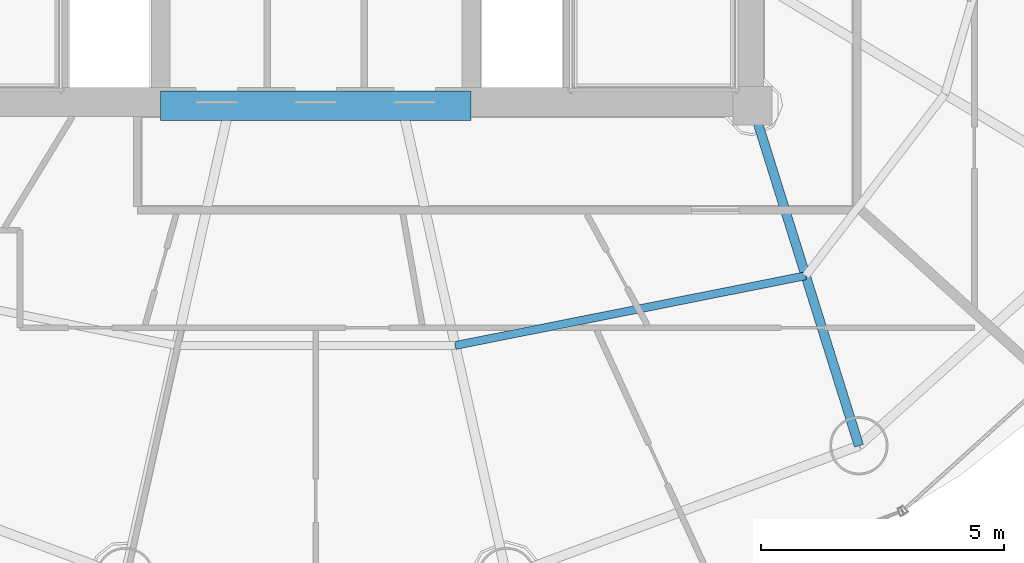
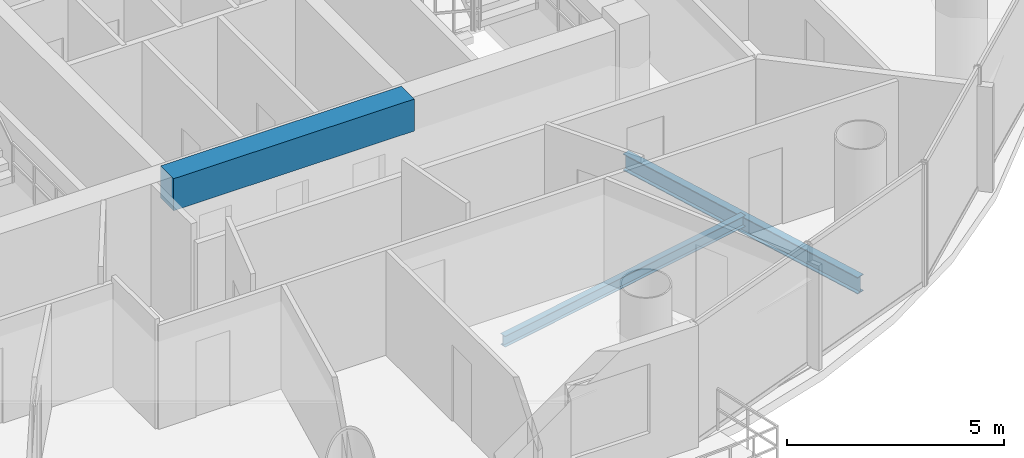
# One storey, part 6 of 26: 3 beams.
"""IFC4 building model written with IfcOpenShell, lengths in metres."""

from ifc_helpers import new_model, si_unit, direction, frame, origin, origin_2d, place, context, subcontext, project, spatial, rectangle, i_section, extrude, material, material_profile, profile_set, type_object, element, save


model = new_model("IFC4")

# Units and contexts
model_context = context("Model", 3, precision=1e-05, world=origin(), true_north=direction((-0.2419218956, 0.970295726276)))
body_context = subcontext(model_context, "Body", "Model", "MODEL_VIEW")
ifc_project = project(units=[si_unit("LENGTHUNIT", "METRE"), si_unit("AREAUNIT", "SQUARE_METRE"), si_unit("VOLUMEUNIT", "CUBIC_METRE"), si_unit("PLANEANGLEUNIT", "RADIAN"), si_unit("MASSUNIT", "GRAM", prefix="KILO")], contexts=[model_context])

# Site, building, storey
site_placement = place(None, origin())
site = spatial("IfcSite", under=ifc_project, at=site_placement, CompositionType="ELEMENT")
building_placement = place(site_placement, origin())
building = spatial("IfcBuilding", under=site, at=building_placement, Name="Cobrevalo Terracotta Tower", CompositionType="ELEMENT")
storey_placement = place(building_placement, frame((0.0, 0.0, 209.699951171875)))
storey = spatial("IfcBuildingStorey", under=building, at=storey_placement, Name="L55", CompositionType="ELEMENT", Elevation=209.699951171875)

# Beams
ifc_material_1 = material(Name="Concrete C60", Category="concrete")
ifc_material_profile_1 = material_profile(ifc_material_1, rectangle(XDim=0.60009765625, YDim=0.89990234375, at=origin_2d()), Name="RC CB 600x900")
ifc_profile_set_1 = profile_set([ifc_material_profile_1], Name="Concrete C60")
beam_type_1 = type_object("IfcBeamType", Name="Structural Beam RC CB 600x900 (Concrete C60)", PredefinedType="BEAM", material=ifc_profile_set_1)
beam_1_placement = place(storey_placement, frame((34.800048828125, 18.800048828125, 2.985107421875), z_axis=(1.0, 0.0, 0.0), x_axis=(0.0, 1.0, 0.0)))
element("IfcBeam", 1, at=beam_1_placement, inside=storey, type_object=beam_type_1, Name="L55 core coupling beam 1", PredefinedType="BEAM", context=body_context, shape_type="SweptSolid", body=[
    extrude(rectangle(XDim=0.60009765625, YDim=0.89990234375, at=origin_2d()), origin(), (0.0, 0.0, 1.0), 6.39990234375),
])
ifc_material_2 = material(Name="Steel S355", Category="steel")
ifc_material_profile_2 = material_profile(ifc_material_2, i_section(OverallWidth=0.194091796875, OverallDepth=0.468994140625, WebThickness=0.011474609375, FlangeThickness=0.0205078125, at=origin_2d()), Name="W 460x106")
ifc_profile_set_2 = profile_set([ifc_material_profile_2], Name="Steel S355")
beam_type_2 = type_object("IfcBeamType", Name="Structural Beam W 460x106 (Steel S355)", PredefinedType="BEAM", material=ifc_profile_set_2)
beam_2_placement = place(storey_placement, frame((49.19482421875, 11.7919921875, -0.49951171875), z_axis=(-0.298871212691, 0.954293454984, 0.0), x_axis=(-0.954293454984, -0.298871212691, 0.0)))
element("IfcBeam", 2, at=beam_2_placement, inside=storey, type_object=beam_type_2, Name="L55 radial floor girder 14", PredefinedType="BEAM", context=body_context, shape_type="SweptSolid", body=[
    extrude(i_section(OverallWidth=0.194091796875, OverallDepth=0.468994140625, WebThickness=0.011474609375, FlangeThickness=0.0205078125, at=origin_2d()), origin(), (0.0, 0.0, 1.0), 7.34375),
])
ifc_material_profile_3 = material_profile(ifc_material_2, i_section(OverallWidth=0.1650390625, OverallDepth=0.31005859375, WebThickness=0.005859375, FlangeThickness=0.009765625, at=origin_2d()), Name="W 310x38.7")
ifc_profile_set_3 = profile_set([ifc_material_profile_3], Name="Steel S355")
beam_type_3 = type_object("IfcBeamType", Name="Structural Joist W 310x38.7 (Steel S355)", PredefinedType="JOIST", material=ifc_profile_set_3)
beam_3_placement = place(storey_placement, frame((40.873779296875, 13.8583984375, -0.419921875), z_axis=(0.980768907748, 0.195172614871, 0.0), x_axis=(-0.195172614871, 0.980768907748, 0.0)))
element("IfcBeam", 3, at=beam_3_placement, inside=storey, type_object=beam_type_3, Name="L55 circumferential secondary floor joist 13", PredefinedType="JOIST", context=body_context, shape_type="SweptSolid", body=[
    extrude(i_section(OverallWidth=0.1650390625, OverallDepth=0.31005859375, WebThickness=0.005859375, FlangeThickness=0.009765625, at=origin_2d()), origin(), (0.0, 0.0, 1.0), 7.365234375),
])

save(model, "model.ifc")
